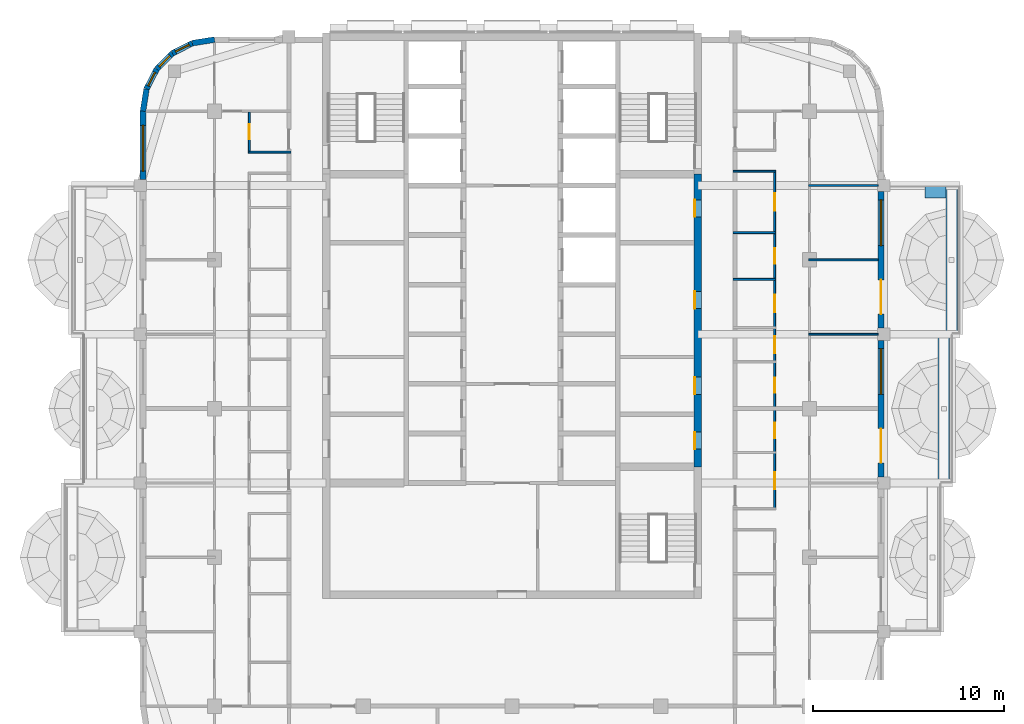
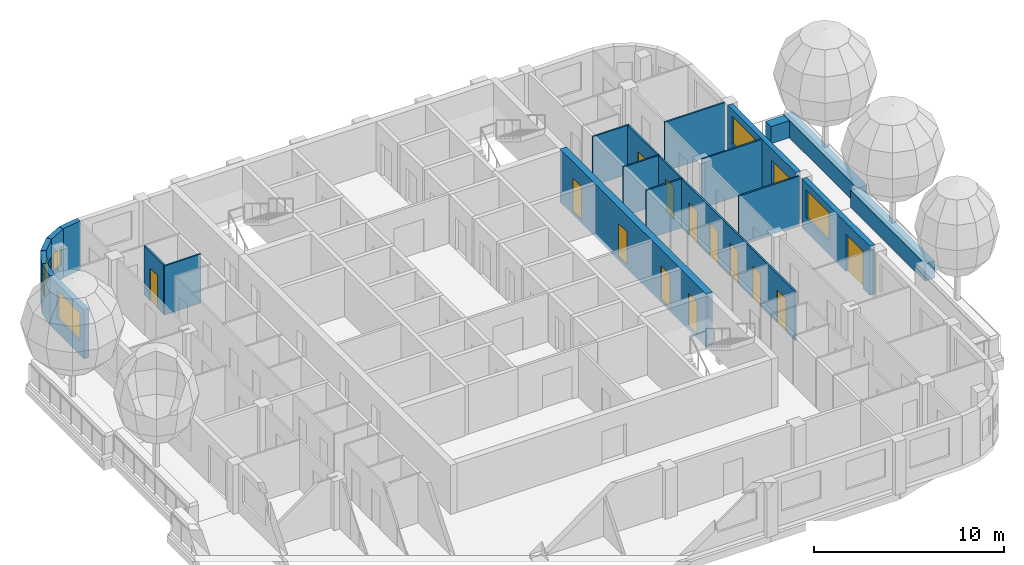
# One storey, part 7 of 13: 21 walls, 14 doors, 6 windows, 20 openings.
"""IFC4 building model written with IfcOpenShell, lengths in metres."""

from ifc_helpers import new_model, si_unit, direction, frame, frame_2d, origin, place, context, subcontext, project, spatial, rectangle, extrude, material, layer, layer_set, type_object, element, fill, save


model = new_model("IFC4")

# Units and contexts
model_context = context("Model", 3, precision=1e-05, world=origin(), true_north=direction((0.0, 1.0)))
body_context = subcontext(model_context, "Body", "Model", "MODEL_VIEW")
ifc_project = project(units=[si_unit("LENGTHUNIT", "METRE"), si_unit("AREAUNIT", "SQUARE_METRE"), si_unit("VOLUMEUNIT", "CUBIC_METRE"), si_unit("PLANEANGLEUNIT", "RADIAN"), si_unit("MASSUNIT", "GRAM", prefix="KILO")], contexts=[model_context])

# Site, building, storey
site_placement = place(None, origin())
site = spatial("IfcSite", under=ifc_project, at=site_placement, CompositionType="ELEMENT")
building_placement = place(site_placement, origin())
building = spatial("IfcBuilding", under=site, at=building_placement, Name="Ludao Terraces", CompositionType="ELEMENT")
storey_placement = place(building_placement, frame((0.0, 0.0, 259.60009765625)))
storey = spatial("IfcBuildingStorey", under=building, at=storey_placement, Name="L71", CompositionType="ELEMENT", Elevation=259.60009765625)

# Wall, openings, doors
ifc_material_1 = material(Name="Concrete C50", Category="concrete")
ifc_layer_1 = layer(ifc_material_1, 0.39990234375)
ifc_layer_set_1 = layer_set([ifc_layer_1], Name="Core wall 400 C50")
wall_type_1 = type_object("IfcWallType", Name="Core wall 400 C50", PredefinedType="SOLIDWALL", material=ifc_layer_set_1)
wall_1_placement = place(storey_placement, frame((94.75, 61.949951171875, -0.25), z_axis=(0.0, 0.0, 1.0), x_axis=(0.0, 1.0, 0.0)))
wall_1 = element("IfcWall", 1, at=wall_1_placement, inside=storey, type_object=wall_type_1, Name="Core wall L71 outer-E", PredefinedType="SOLIDWALL", context=body_context, shape_type="SweptSolid", body=[
    extrude(rectangle(XDim=15.35009765625, YDim=0.39990234375, at=frame_2d((7.675048828125, 0.0))), origin(), (0.0, 0.0, 1.0), 3.39990234375),
])
opening_1_placement = place(wall_1_placement, frame((0.925048828125, 0.0, 0.25)))
opening_1 = element("IfcOpeningElement", 2, at=opening_1_placement, cuts=wall_1, Name="Opening R26-034", PredefinedType="OPENING", context=body_context, shape_type="SweptSolid", body=[
    extrude(rectangle(XDim=0.89990234375, YDim=2.10009765625, at=frame_2d((0.449951171875, 1.050048828125))), frame((0.0, 0.2099609375, 0.0), z_axis=(0.0, -1.0, 0.0), x_axis=(1.0, 0.0, 0.0)), (0.0, 0.0, 1.0), 0.419921875),
])
opening_2_placement = place(wall_1_placement, frame((3.800048828125, 0.0, 0.25)))
opening_2 = element("IfcOpeningElement", 3, at=opening_2_placement, cuts=wall_1, Name="Opening R26-040", PredefinedType="OPENING", context=body_context, shape_type="SweptSolid", body=[
    extrude(rectangle(XDim=0.89990234375, YDim=2.10009765625, at=frame_2d((0.449951171875, 1.050048828125))), frame((0.0, 0.2099609375, 0.0), z_axis=(0.0, -1.0, 0.0), x_axis=(1.0, 0.0, 0.0)), (0.0, 0.0, 1.0), 0.419921875),
])
opening_3_placement = place(wall_1_placement, frame((8.300048828125, 0.0, 0.25)))
opening_3 = element("IfcOpeningElement", 4, at=opening_3_placement, cuts=wall_1, Name="Opening R26-054", PredefinedType="OPENING", context=body_context, shape_type="SweptSolid", body=[
    extrude(rectangle(XDim=0.89990234375, YDim=2.10009765625, at=frame_2d((0.449951171875, 1.050048828125))), frame((0.0, 0.2099609375, 0.0), z_axis=(0.0, -1.0, 0.0), x_axis=(1.0, 0.0, 0.0)), (0.0, 0.0, 1.0), 0.419921875),
])
opening_4_placement = place(wall_1_placement, frame((13.10009765625, 0.0, 0.25)))
opening_4 = element("IfcOpeningElement", 5, at=opening_4_placement, cuts=wall_1, Name="Opening R26-066", PredefinedType="OPENING", context=body_context, shape_type="SweptSolid", body=[
    extrude(rectangle(XDim=0.89990234375, YDim=2.10009765625, at=frame_2d((0.449951171875, 1.050048828125))), frame((0.0, 0.2099609375, 0.0), z_axis=(0.0, -1.0, 0.0), x_axis=(1.0, 0.0, 0.0)), (0.0, 0.0, 1.0), 0.419921875),
])
ifc_material_2 = material(Name="Steel Q235", Category="steel")
door_type_1 = type_object("IfcDoorType", Name="INT Riser door 900", OperationType="SINGLE_SWING_LEFT", PredefinedType="DOOR", material=ifc_material_2)
door_1_placement = place(opening_1_placement, origin())
door_1 = element("IfcDoor", 6, at=door_1_placement, inside=storey, type_object=door_type_1, Name="DOOR 034", OperationType="SINGLE_SWING_LEFT", OverallHeight=2.10009765625, OverallWidth=0.89990234375, PredefinedType="DOOR", context=body_context, shape_type="SweptSolid", body=[
    extrude(rectangle(XDim=0.89990234375, YDim=2.10009765625, at=frame_2d((0.449951171875, 1.050048828125))), frame((0.0, 0.18505859375, 0.0), z_axis=(0.0, -1.0, 0.0), x_axis=(1.0, 0.0, 0.0)), (0.0, 0.0, 1.0), 0.050048828125),
])
fill(opening_1, door_1)
door_2_placement = place(opening_4_placement, origin())
door_2 = element("IfcDoor", 7, at=door_2_placement, inside=storey, type_object=door_type_1, Name="DOOR 066", OperationType="SINGLE_SWING_RIGHT", OverallHeight=2.10009765625, OverallWidth=0.89990234375, PredefinedType="DOOR", context=body_context, shape_type="SweptSolid", body=[
    extrude(rectangle(XDim=0.89990234375, YDim=2.10009765625, at=frame_2d((0.449951171875, 1.050048828125))), frame((0.0, 0.18505859375, 0.0), z_axis=(0.0, -1.0, 0.0), x_axis=(1.0, 0.0, 0.0)), (0.0, 0.0, 1.0), 0.050048828125),
])
fill(opening_4, door_2)
ifc_material_3 = material(Name="Timber door leaf", Category="wood")
door_type_2 = type_object("IfcDoorType", Name="INT Room door 900", OperationType="SINGLE_SWING_LEFT", PredefinedType="DOOR", material=ifc_material_3)
door_3_placement = place(opening_2_placement, origin())
door_3 = element("IfcDoor", 8, at=door_3_placement, inside=storey, type_object=door_type_2, Name="DOOR 040", OperationType="SINGLE_SWING_LEFT", OverallHeight=2.10009765625, OverallWidth=0.89990234375, PredefinedType="DOOR", context=body_context, shape_type="SweptSolid", body=[
    extrude(rectangle(XDim=0.89990234375, YDim=2.10009765625, at=frame_2d((0.449951171875, 1.050048828125))), frame((0.0, 0.18505859375, 0.0), z_axis=(0.0, -1.0, 0.0), x_axis=(1.0, 0.0, 0.0)), (0.0, 0.0, 1.0), 0.050048828125),
])
fill(opening_2, door_3)
door_4_placement = place(opening_3_placement, origin())
door_4 = element("IfcDoor", 9, at=door_4_placement, inside=storey, type_object=door_type_2, Name="DOOR 054", OperationType="SINGLE_SWING_LEFT", OverallHeight=2.10009765625, OverallWidth=0.89990234375, PredefinedType="DOOR", context=body_context, shape_type="SweptSolid", body=[
    extrude(rectangle(XDim=0.89990234375, YDim=2.10009765625, at=frame_2d((0.449951171875, 1.050048828125))), frame((0.0, 0.18505859375, 0.0), z_axis=(0.0, -1.0, 0.0), x_axis=(1.0, 0.0, 0.0)), (0.0, 0.0, 1.0), 0.050048828125),
])
fill(opening_3, door_4)

# Walls
ifc_material_4 = material(Name="Concrete C40", Category="concrete")
ifc_layer_2 = layer(ifc_material_4, 0.60009765625)
ifc_layer_set_2 = layer_set([ifc_layer_2], Name="ENV Planter trough 600")
wall_type_2 = type_object("IfcWallType", Name="ENV Planter trough 600", PredefinedType="USERDEFINED", material=ifc_layer_set_2)
wall_2_placement = place(storey_placement, frame((107.64990234375, 61.10009765625, 0.0), z_axis=(0.0, 0.0, 1.0), x_axis=(0.0, 1.0, 0.0)))
element("IfcWall", 10, at=wall_2_placement, inside=storey, type_object=wall_type_2, Name="PL-L71-E2", ObjectType="PLANTER", PredefinedType="USERDEFINED", context=body_context, shape_type="SweptSolid", body=[
    extrude(rectangle(XDim=7.7998046875, YDim=0.60009765625, at=frame_2d((3.89990234375, 0.0))), origin(), (0.0, 0.0, 1.0), 1.099853515625),
])
wall_3_placement = place(storey_placement, frame((108.050048828125, 68.89990234375, 0.0), z_axis=(0.0, 0.0, 1.0), x_axis=(0.0, 1.0, 0.0)))
element("IfcWall", 11, at=wall_3_placement, inside=storey, type_object=wall_type_2, Name="PL-L71-E3", ObjectType="PLANTER", PredefinedType="USERDEFINED", context=body_context, shape_type="SweptSolid", body=[
    extrude(rectangle(XDim=7.800048828125, YDim=0.60009765625, at=frame_2d((3.89990234375, 0.0))), origin(), (0.0, 0.0, 1.0), 1.099853515625),
])
wall_4_placement = place(storey_placement, frame((107.75, 76.35009765625, 0.0), z_axis=(0.0, 0.0, 1.0), x_axis=(-1.0, 0.0, 0.0)))
element("IfcWall", 12, at=wall_4_placement, inside=storey, type_object=wall_type_2, Name="PL-L71-E3-SB", ObjectType="PLANTER", PredefinedType="USERDEFINED", context=body_context, shape_type="SweptSolid", body=[
    extrude(rectangle(XDim=1.10009765625, YDim=0.60009765625, at=frame_2d((0.550048828125, 0.0))), origin(), (0.0, 0.0, 1.0), 1.099853515625),
])

# Wall, openings, door, window
ifc_material_5 = material(Name="Granite cladding", Category="masonry")
ifc_layer_3 = layer(ifc_material_5, 0.0400390625, Category="stone")
ifc_material_6 = material(Name="Mineral wool")
ifc_layer_4 = layer(ifc_material_6, 0.06005859375)
ifc_layer_5 = layer(ifc_material_4, 0.199951171875, Category="concrete")
ifc_layer_set_3 = layer_set([ifc_layer_3, ifc_layer_4, ifc_layer_5], Name="ENV Stone-clad wall 300")
wall_type_3 = type_object("IfcWallType", Name="ENV Stone-clad wall 300", PredefinedType="SOLIDWALL", material=ifc_layer_set_3)
wall_5_placement = place(storey_placement, frame((104.35009765625, 61.425048828125, 0.0), z_axis=(0.0, 0.0, 1.0), x_axis=(0.0, 1.0, 0.0)))
wall_5 = element("IfcWall", 13, at=wall_5_placement, inside=storey, type_object=wall_type_3, Name="EW-L71-E3", PredefinedType="SOLIDWALL", context=body_context, shape_type="SweptSolid", body=[
    extrude(rectangle(XDim=7.14990234375, YDim=0.300048828125, at=frame_2d((3.574951171875, 0.0))), origin(), (0.0, 0.0, 1.0), 3.14990234375),
])
opening_5_placement = place(wall_5_placement, frame((0.72509765625, 0.0, 0.0)))
opening_5 = element("IfcOpeningElement", 14, at=opening_5_placement, cuts=wall_5, Name="Opening BD", PredefinedType="OPENING", context=body_context, shape_type="SweptSolid", body=[
    extrude(rectangle(XDim=1.800048828125, YDim=2.39990234375, at=frame_2d((0.89990234375, 1.199951171875))), frame((0.0, 0.16015625, 0.0), z_axis=(0.0, -1.0, 0.0), x_axis=(1.0, 0.0, 0.0)), (0.0, 0.0, 1.0), 0.320068359375),
])
opening_6_placement = place(wall_5_placement, frame((4.324951171875, 0.0, 0.89990234375)))
opening_6 = element("IfcOpeningElement", 15, at=opening_6_placement, cuts=wall_5, Name="Opening W1", PredefinedType="OPENING", context=body_context, shape_type="SweptSolid", body=[
    extrude(rectangle(XDim=2.39990234375, YDim=1.800048828125, at=frame_2d((1.199951171875, 0.89990234375))), frame((0.0, 0.16015625, 0.0), z_axis=(0.0, -1.0, 0.0), x_axis=(1.0, 0.0, 0.0)), (0.0, 0.0, 1.0), 0.320068359375),
])
ifc_material_7 = material(Name="Aluminium glazed door", Category="aluminium")
ifc_layer_6 = layer(ifc_material_7, 0.06005859375)
ifc_layer_set_4 = layer_set([ifc_layer_6], Name="ENV Balcony door BD 1800x2400")
door_type_3 = type_object("IfcDoorType", Name="ENV Balcony door BD 1800x2400", OperationType="DOUBLE_DOOR_SINGLE_SWING", PredefinedType="DOOR", material=ifc_layer_set_4)
door_5_placement = place(opening_5_placement, origin())
door_5 = element("IfcDoor", 16, at=door_5_placement, inside=storey, type_object=door_type_3, Name="BD-L71-E3-1", OperationType="DOUBLE_DOOR_SINGLE_SWING", OverallHeight=2.39990234375, OverallWidth=1.800048828125, PredefinedType="DOOR", context=body_context, shape_type="SweptSolid", body=[
    extrude(rectangle(XDim=1.800048828125, YDim=2.39990234375, at=frame_2d((0.89990234375, 1.199951171875))), frame((0.0, 0.02490234375, 0.0), z_axis=(0.0, -1.0, 0.0), x_axis=(1.0, 0.0, 0.0)), (0.0, 0.0, 1.0), 0.050048828125),
])
fill(opening_5, door_5)
ifc_material_8 = material(Name="Clear glass in aluminium frame", Category="aluminium")
ifc_layer_7 = layer(ifc_material_8, 0.06005859375)
ifc_layer_set_5 = layer_set([ifc_layer_7], Name="ENV Window W1 2400x1800")
window_type_1 = type_object("IfcWindowType", Name="ENV Window W1 2400x1800", PartitioningType="DOUBLE_PANEL_VERTICAL", PredefinedType="WINDOW", material=ifc_layer_set_5)
window_1_placement = place(opening_6_placement, origin())
window_1 = element("IfcWindow", 17, at=window_1_placement, inside=storey, type_object=window_type_1, Name="W-L71-E3-2", OverallHeight=1.800048828125, OverallWidth=2.39990234375, PartitioningType="DOUBLE_PANEL_VERTICAL", PredefinedType="WINDOW", context=body_context, shape_type="SweptSolid", body=[
    extrude(rectangle(XDim=2.39990234375, YDim=1.800048828125, at=frame_2d((1.199951171875, 0.89990234375))), frame((0.0, 0.030029296875, 0.0), z_axis=(0.0, -1.0, 0.0), x_axis=(1.0, 0.0, 0.0)), (0.0, 0.0, 1.0), 0.06005859375),
])
fill(opening_6, window_1)

wall_6_placement = place(storey_placement, frame((104.35009765625, 69.22509765625, 0.0), z_axis=(0.0, 0.0, 1.0), x_axis=(0.0, 1.0, 0.0)))
wall_6 = element("IfcWall", 18, at=wall_6_placement, inside=storey, type_object=wall_type_3, Name="EW-L71-E4", PredefinedType="SOLIDWALL", context=body_context, shape_type="SweptSolid", body=[
    extrude(rectangle(XDim=7.14990234375, YDim=0.300048828125, at=frame_2d((3.574951171875, 0.0))), origin(), (0.0, 0.0, 1.0), 3.14990234375),
])
opening_7_placement = place(wall_6_placement, frame((0.72509765625, 0.0, 0.0)))
opening_7 = element("IfcOpeningElement", 19, at=opening_7_placement, cuts=wall_6, Name="Opening BD", PredefinedType="OPENING", context=body_context, shape_type="SweptSolid", body=[
    extrude(rectangle(XDim=1.800048828125, YDim=2.39990234375, at=frame_2d((0.89990234375, 1.199951171875))), frame((0.0, 0.16015625, 0.0), z_axis=(0.0, -1.0, 0.0), x_axis=(1.0, 0.0, 0.0)), (0.0, 0.0, 1.0), 0.320068359375),
])
opening_8_placement = place(wall_6_placement, frame((4.324951171875, 0.0, 0.89990234375)))
opening_8 = element("IfcOpeningElement", 20, at=opening_8_placement, cuts=wall_6, Name="Opening W1", PredefinedType="OPENING", context=body_context, shape_type="SweptSolid", body=[
    extrude(rectangle(XDim=2.39990234375, YDim=1.800048828125, at=frame_2d((1.199951171875, 0.89990234375))), frame((0.0, 0.16015625, 0.0), z_axis=(0.0, -1.0, 0.0), x_axis=(1.0, 0.0, 0.0)), (0.0, 0.0, 1.0), 0.320068359375),
])
door_6_placement = place(opening_7_placement, origin())
door_6 = element("IfcDoor", 21, at=door_6_placement, inside=storey, type_object=door_type_3, Name="BD-L71-E4-1", OperationType="DOUBLE_DOOR_SINGLE_SWING", OverallHeight=2.39990234375, OverallWidth=1.800048828125, PredefinedType="DOOR", context=body_context, shape_type="SweptSolid", body=[
    extrude(rectangle(XDim=1.800048828125, YDim=2.39990234375, at=frame_2d((0.89990234375, 1.199951171875))), frame((0.0, 0.02490234375, 0.0), z_axis=(0.0, -1.0, 0.0), x_axis=(1.0, 0.0, 0.0)), (0.0, 0.0, 1.0), 0.050048828125),
])
fill(opening_7, door_6)
window_2_placement = place(opening_8_placement, origin())
window_2 = element("IfcWindow", 22, at=window_2_placement, inside=storey, type_object=window_type_1, Name="W-L71-E4-2", OverallHeight=1.800048828125, OverallWidth=2.39990234375, PartitioningType="DOUBLE_PANEL_VERTICAL", PredefinedType="WINDOW", context=body_context, shape_type="SweptSolid", body=[
    extrude(rectangle(XDim=2.39990234375, YDim=1.800048828125, at=frame_2d((1.199951171875, 0.89990234375))), frame((0.0, 0.030029296875, 0.0), z_axis=(0.0, -1.0, 0.0), x_axis=(1.0, 0.0, 0.0)), (0.0, 0.0, 1.0), 0.06005859375),
])
fill(opening_8, window_2)

# Wall, opening, window
wall_7_placement = place(storey_placement, frame((65.64990234375, 77.02490234375, 0.0), z_axis=(0.0, 0.0, 1.0), x_axis=(0.0, 1.0, 0.0)))
wall_7 = element("IfcWall", 23, at=wall_7_placement, inside=storey, type_object=wall_type_3, Name="EW-L71-W5", PredefinedType="SOLIDWALL", context=body_context, shape_type="SweptSolid", body=[
    extrude(rectangle(XDim=3.5751953125, YDim=0.300048828125, at=frame_2d((1.78759765625, 0.0))), origin(), (0.0, 0.0, 1.0), 3.14990234375),
])
opening_9_placement = place(wall_7_placement, frame((0.425048828125, 0.0, 0.89990234375)))
opening_9 = element("IfcOpeningElement", 24, at=opening_9_placement, cuts=wall_7, Name="Opening W1", PredefinedType="OPENING", context=body_context, shape_type="SweptSolid", body=[
    extrude(rectangle(XDim=2.39990234375, YDim=1.800048828125, at=frame_2d((1.199951171875, 0.89990234375))), frame((0.0, 0.16015625, 0.0), z_axis=(0.0, -1.0, 0.0), x_axis=(1.0, 0.0, 0.0)), (0.0, 0.0, 1.0), 0.320068359375),
])
window_3_placement = place(opening_9_placement, origin())
window_3 = element("IfcWindow", 25, at=window_3_placement, inside=storey, type_object=window_type_1, Name="W-L71-W5-1", OverallHeight=1.800048828125, OverallWidth=2.39990234375, PartitioningType="DOUBLE_PANEL_VERTICAL", PredefinedType="WINDOW", context=body_context, shape_type="SweptSolid", body=[
    extrude(rectangle(XDim=2.39990234375, YDim=1.800048828125, at=frame_2d((1.199951171875, 0.89990234375))), frame((0.0, 0.030029296875, 0.0), z_axis=(0.0, -1.0, 0.0), x_axis=(1.0, 0.0, 0.0)), (0.0, 0.0, 1.0), 0.06005859375),
])
fill(opening_9, window_3)

# Wall
wall_8_placement = place(storey_placement, frame((69.39990234375, 84.35009765625, 0.0), z_axis=(0.0, 0.0, 1.0), x_axis=(-0.987678452879, -0.156496880861, 0.0)))
element("IfcWall", 26, at=wall_8_placement, inside=storey, type_object=wall_type_3, Name="EW-L71-NW1", PredefinedType="SOLIDWALL", context=body_context, shape_type="SweptSolid", body=[
    extrude(rectangle(XDim=1.173095703125, YDim=0.300048828125, at=frame_2d((0.58642578125, 0.0))), origin(), (0.0, 0.0, 1.0), 3.14990234375),
])

# Wall, opening, window
wall_9_placement = place(storey_placement, frame((68.2412109375, 84.16650390625, 0.0), z_axis=(0.0, 0.0, 1.0), x_axis=(-0.890988677504, -0.454025524128, 0.0)))
wall_9 = element("IfcWall", 27, at=wall_9_placement, inside=storey, type_object=wall_type_3, Name="EW-L71-NW2", PredefinedType="SOLIDWALL", context=body_context, shape_type="SweptSolid", body=[
    extrude(rectangle(XDim=1.17333984375, YDim=0.300048828125, at=frame_2d((0.586669921875, 0.0))), origin(), (0.0, 0.0, 1.0), 3.14990234375),
])
opening_10_placement = place(wall_9_placement, frame((0.1865234375, 0.0, 0.89990234375)))
opening_10 = element("IfcOpeningElement", 28, at=opening_10_placement, cuts=wall_9, Name="Opening W3", PredefinedType="OPENING", context=body_context, shape_type="SweptSolid", body=[
    extrude(rectangle(XDim=0.800048828125, YDim=1.199951171875, at=frame_2d((0.39990234375, 0.60009765625))), frame((0.0, 0.16015625, 0.0), z_axis=(0.0, -1.0, 0.0), x_axis=(1.0, 0.0, 0.0)), (0.0, 0.0, 1.0), 0.320068359375),
])
ifc_layer_8 = layer(ifc_material_8, 0.06005859375)
ifc_layer_set_6 = layer_set([ifc_layer_8], Name="ENV Window W3 800x1200")
window_type_2 = type_object("IfcWindowType", Name="ENV Window W3 800x1200", PartitioningType="SINGLE_PANEL", PredefinedType="WINDOW", material=ifc_layer_set_6)
window_4_placement = place(opening_10_placement, origin())
window_4 = element("IfcWindow", 29, at=window_4_placement, inside=storey, type_object=window_type_2, Name="W-L71-NW2", OverallHeight=1.199951171875, OverallWidth=0.800048828125, PartitioningType="SINGLE_PANEL", PredefinedType="WINDOW", context=body_context, shape_type="SweptSolid", body=[
    extrude(rectangle(XDim=0.800048828125, YDim=1.199951171875, at=frame_2d((0.39990234375, 0.60009765625))), frame((0.0, 0.030029296875, 0.0), z_axis=(0.0, -1.0, 0.0), x_axis=(1.0, 0.0, 0.0)), (0.0, 0.0, 1.0), 0.06005859375),
])
fill(opening_10, window_4)

wall_10_placement = place(storey_placement, frame((67.19580078125, 83.6337890625, 0.0), z_axis=(0.0, 0.0, 1.0), x_axis=(-0.707106781187, -0.707106781187, 0.0)))
wall_10 = element("IfcWall", 30, at=wall_10_placement, inside=storey, type_object=wall_type_3, Name="EW-L71-NW3", PredefinedType="SOLIDWALL", context=body_context, shape_type="SweptSolid", body=[
    extrude(rectangle(XDim=1.173095703125, YDim=0.300048828125, at=frame_2d((0.58642578125, 0.0))), origin(), (0.0, 0.0, 1.0), 3.14990234375),
])
opening_11_placement = place(wall_10_placement, frame((0.1865234375, 0.0, 0.89990234375)))
opening_11 = element("IfcOpeningElement", 31, at=opening_11_placement, cuts=wall_10, Name="Opening W3", PredefinedType="OPENING", context=body_context, shape_type="SweptSolid", body=[
    extrude(rectangle(XDim=0.800048828125, YDim=1.199951171875, at=frame_2d((0.39990234375, 0.60009765625))), frame((0.0, 0.16015625, 0.0), z_axis=(0.0, -1.0, 0.0), x_axis=(1.0, 0.0, 0.0)), (0.0, 0.0, 1.0), 0.320068359375),
])
window_5_placement = place(opening_11_placement, origin())
window_5 = element("IfcWindow", 32, at=window_5_placement, inside=storey, type_object=window_type_2, Name="W-L71-NW3", OverallHeight=1.199951171875, OverallWidth=0.800048828125, PartitioningType="SINGLE_PANEL", PredefinedType="WINDOW", context=body_context, shape_type="SweptSolid", body=[
    extrude(rectangle(XDim=0.800048828125, YDim=1.199951171875, at=frame_2d((0.39990234375, 0.60009765625))), frame((0.0, 0.030029296875, 0.0), z_axis=(0.0, -1.0, 0.0), x_axis=(1.0, 0.0, 0.0)), (0.0, 0.0, 1.0), 0.06005859375),
])
fill(opening_11, window_5)

wall_11_placement = place(storey_placement, frame((66.3662109375, 82.80419921875, 0.0), z_axis=(0.0, 0.0, 1.0), x_axis=(-0.454025524128, -0.890988677504, 0.0)))
wall_11 = element("IfcWall", 33, at=wall_11_placement, inside=storey, type_object=wall_type_3, Name="EW-L71-NW4", PredefinedType="SOLIDWALL", context=body_context, shape_type="SweptSolid", body=[
    extrude(rectangle(XDim=1.17333984375, YDim=0.300048828125, at=frame_2d((0.586669921875, 0.0))), origin(), (0.0, 0.0, 1.0), 3.14990234375),
])
opening_12_placement = place(wall_11_placement, frame((0.1865234375, 0.0, 0.89990234375)))
opening_12 = element("IfcOpeningElement", 34, at=opening_12_placement, cuts=wall_11, Name="Opening W3", PredefinedType="OPENING", context=body_context, shape_type="SweptSolid", body=[
    extrude(rectangle(XDim=0.800048828125, YDim=1.199951171875, at=frame_2d((0.39990234375, 0.60009765625))), frame((0.0, 0.16015625, 0.0), z_axis=(0.0, -1.0, 0.0), x_axis=(1.0, 0.0, 0.0)), (0.0, 0.0, 1.0), 0.320068359375),
])
window_6_placement = place(opening_12_placement, origin())
window_6 = element("IfcWindow", 35, at=window_6_placement, inside=storey, type_object=window_type_2, Name="W-L71-NW4", OverallHeight=1.199951171875, OverallWidth=0.800048828125, PartitioningType="SINGLE_PANEL", PredefinedType="WINDOW", context=body_context, shape_type="SweptSolid", body=[
    extrude(rectangle(XDim=0.800048828125, YDim=1.199951171875, at=frame_2d((0.39990234375, 0.60009765625))), frame((0.0, 0.030029296875, 0.0), z_axis=(0.0, -1.0, 0.0), x_axis=(1.0, 0.0, 0.0)), (0.0, 0.0, 1.0), 0.06005859375),
])
fill(opening_12, window_6)

# Walls
wall_12_placement = place(storey_placement, frame((65.83349609375, 81.7587890625, 0.0), z_axis=(0.0, 0.0, 1.0), x_axis=(-0.156496880861, -0.987678452879, 0.0)))
element("IfcWall", 36, at=wall_12_placement, inside=storey, type_object=wall_type_3, Name="EW-L71-NW5", PredefinedType="SOLIDWALL", context=body_context, shape_type="SweptSolid", body=[
    extrude(rectangle(XDim=1.173095703125, YDim=0.300048828125, at=frame_2d((0.58642578125, 0.0))), origin(), (0.0, 0.0, 1.0), 3.14990234375),
])
ifc_material_9 = material(Name="Gypsum plasterboard", Category="gypsum")
ifc_layer_9 = layer(ifc_material_9, 0.012451171875, Category="gypsum")
ifc_layer_10 = layer(ifc_material_6, 0.06005859375, Name="insulation")
ifc_layer_11 = layer(ifc_material_2, 0.014892578125, Name="stud")
ifc_layer_12 = layer(ifc_material_9, 0.012451171875, Category="gypsum")
ifc_layer_set_7 = layer_set([ifc_layer_9, ifc_layer_10, ifc_layer_11, ifc_layer_12], Name="INT Partition 100")
wall_type_4 = type_object("IfcWallType", Name="INT Partition 100", PredefinedType="PARTITIONING", material=ifc_layer_set_7)
wall_13_placement = place(storey_placement, frame((100.550048828125, 68.89990234375, 0.0), z_axis=(0.0, 0.0, 1.0), x_axis=(1.0, 0.0, 0.0)))
element("IfcWall", 37, at=wall_13_placement, inside=storey, type_object=wall_type_4, Name="PW-L71-PW030", PredefinedType="PARTITIONING", context=body_context, shape_type="SweptSolid", body=[
    extrude(rectangle(XDim=3.650146484375, YDim=0.10009765625, at=frame_2d((1.8251953125, 0.0))), origin(), (0.0, 0.0, 1.0), 3.14990234375),
])
wall_14_placement = place(storey_placement, frame((96.60009765625, 71.780029296875, 0.0), z_axis=(0.0, 0.0, 1.0), x_axis=(1.0, 0.0, 0.0)))
element("IfcWall", 38, at=wall_14_placement, inside=storey, type_object=wall_type_4, Name="PW-L71-PW033", PredefinedType="PARTITIONING", context=body_context, shape_type="SweptSolid", body=[
    extrude(rectangle(XDim=2.219970703125, YDim=0.10009765625, at=frame_2d((1.10986328125, 0.0))), origin(), (0.0, 0.0, 1.0), 3.14990234375),
])
wall_15_placement = place(storey_placement, frame((100.550048828125, 72.800048828125, 0.0), z_axis=(0.0, 0.0, 1.0), x_axis=(1.0, 0.0, 0.0)))
element("IfcWall", 39, at=wall_15_placement, inside=storey, type_object=wall_type_4, Name="PW-L71-PW036", PredefinedType="PARTITIONING", context=body_context, shape_type="SweptSolid", body=[
    extrude(rectangle(XDim=3.650146484375, YDim=0.10009765625, at=frame_2d((1.8251953125, 0.0))), origin(), (0.0, 0.0, 1.0), 3.14990234375),
])
wall_16_placement = place(storey_placement, frame((96.60009765625, 74.22998046875, 0.0), z_axis=(0.0, 0.0, 1.0), x_axis=(1.0, 0.0, 0.0)))
element("IfcWall", 40, at=wall_16_placement, inside=storey, type_object=wall_type_4, Name="PW-L71-PW037", PredefinedType="PARTITIONING", context=body_context, shape_type="SweptSolid", body=[
    extrude(rectangle(XDim=2.219970703125, YDim=0.10009765625, at=frame_2d((1.10986328125, 0.0))), origin(), (0.0, 0.0, 1.0), 3.14990234375),
])
wall_17_placement = place(storey_placement, frame((100.550048828125, 76.699951171875, 0.0), z_axis=(0.0, 0.0, 1.0), x_axis=(1.0, 0.0, 0.0)))
element("IfcWall", 41, at=wall_17_placement, inside=storey, type_object=wall_type_4, Name="PW-L71-PW040", PredefinedType="PARTITIONING", context=body_context, shape_type="SweptSolid", body=[
    extrude(rectangle(XDim=3.650146484375, YDim=0.10009765625, at=frame_2d((1.8251953125, 0.0))), origin(), (0.0, 0.0, 1.0), 3.14990234375),
])
for number, where, z_axis, x_axis, name in (
    (42, (96.60009765625, 77.449951171875, 0.0), (0.0, 0.0, 1.0), (1.0, 0.0, 0.0), "PW-L71-PW042"),
    (43, (71.18017578125, 78.449951171875, 0.0), (0.0, 0.0, 1.0), (1.0, 0.0, 0.0), "PW-L71-PW043"),
):
    element("IfcWall", number, at=place(storey_placement, frame(where, z_axis=z_axis, x_axis=x_axis)), inside=storey, type_object=wall_type_4, Name=name, PredefinedType="PARTITIONING", context=body_context, shape_type="SweptSolid", body=[
        extrude(rectangle(XDim=2.219970703125, YDim=0.10009765625, at=frame_2d((1.10986328125, 0.0))), origin(), (0.0, 0.0, 1.0), 3.14990234375),
    ])

# Wall, opening, door
wall_18_placement = place(storey_placement, frame((71.22998046875, 78.5, 0.0), z_axis=(0.0, 0.0, 1.0), x_axis=(0.0, 1.0, 0.0)))
wall_18 = element("IfcWall", 44, at=wall_18_placement, inside=storey, type_object=wall_type_4, Name="PW-L71-PW050", PredefinedType="PARTITIONING", context=body_context, shape_type="SweptSolid", body=[
    extrude(rectangle(XDim=2.050048828125, YDim=0.10009765625, at=frame_2d((1.02490234375, 0.0))), origin(), (0.0, 0.0, 1.0), 3.14990234375),
])
opening_13_placement = place(wall_18_placement, frame((0.625, 0.0, 0.0)))
opening_13 = element("IfcOpeningElement", 45, at=opening_13_placement, cuts=wall_18, Name="Opening R26-078", PredefinedType="OPENING", context=body_context, shape_type="SweptSolid", body=[
    extrude(rectangle(XDim=0.800048828125, YDim=2.10009765625, at=frame_2d((0.39990234375, 1.050048828125))), frame((0.0, 0.06005859375, 0.0), z_axis=(0.0, -1.0, 0.0), x_axis=(1.0, 0.0, 0.0)), (0.0, 0.0, 1.0), 0.1201171875),
])
door_type_4 = type_object("IfcDoorType", Name="INT Store door 800", OperationType="SINGLE_SWING_LEFT", PredefinedType="DOOR", material=ifc_material_3)
door_7_placement = place(opening_13_placement, origin())
door_7 = element("IfcDoor", 46, at=door_7_placement, inside=storey, type_object=door_type_4, Name="DOOR 078", OperationType="SINGLE_SWING_RIGHT", OverallHeight=2.10009765625, OverallWidth=0.800048828125, PredefinedType="DOOR", context=body_context, shape_type="SweptSolid", body=[
    extrude(rectangle(XDim=0.800048828125, YDim=2.10009765625, at=frame_2d((0.39990234375, 1.050048828125))), frame((0.0, 0.02490234375, 0.0), z_axis=(0.0, -1.0, 0.0), x_axis=(1.0, 0.0, 0.0)), (0.0, 0.0, 1.0), 0.050048828125),
])
fill(opening_13, door_7)

# Wall, openings, doors
wall_19_placement = place(storey_placement, frame((98.77001953125, 59.800048828125, 0.0), z_axis=(0.0, 0.0, 1.0), x_axis=(0.0, 1.0, 0.0)))
wall_19 = element("IfcWall", 47, at=wall_19_placement, inside=storey, type_object=wall_type_4, Name="PW-L71-PW058", PredefinedType="PARTITIONING", context=body_context, shape_type="SweptSolid", body=[
    extrude(rectangle(XDim=17.60009765625, YDim=0.10009765625, at=frame_2d((8.800048828125, 0.0))), origin(), (0.0, 0.0, 1.0), 3.14990234375),
])
opening_14_placement = place(wall_19_placement, frame((0.97509765625, 0.0, 0.0)))
opening_14 = element("IfcOpeningElement", 48, at=opening_14_placement, cuts=wall_19, Name="Opening R26-026", PredefinedType="OPENING", context=body_context, shape_type="SweptSolid", body=[
    extrude(rectangle(XDim=0.89990234375, YDim=2.10009765625, at=frame_2d((0.449951171875, 1.050048828125))), frame((0.0, 0.06005859375, 0.0), z_axis=(0.0, -1.0, 0.0), x_axis=(1.0, 0.0, 0.0)), (0.0, 0.0, 1.0), 0.1201171875),
])
opening_15_placement = place(wall_19_placement, frame((3.64990234375, 0.0, 0.0)))
opening_15 = element("IfcOpeningElement", 49, at=opening_15_placement, cuts=wall_19, Name="Opening R26-035", PredefinedType="OPENING", context=body_context, shape_type="SweptSolid", body=[
    extrude(rectangle(XDim=0.800048828125, YDim=2.10009765625, at=frame_2d((0.39990234375, 1.050048828125))), frame((0.0, 0.06005859375, 0.0), z_axis=(0.0, -1.0, 0.0), x_axis=(1.0, 0.0, 0.0)), (0.0, 0.0, 1.0), 0.1201171875),
])
opening_16_placement = place(wall_19_placement, frame((6.02490234375, 0.0, 0.0)))
opening_16 = element("IfcOpeningElement", 50, at=opening_16_placement, cuts=wall_19, Name="Opening R26-041", PredefinedType="OPENING", context=body_context, shape_type="SweptSolid", body=[
    extrude(rectangle(XDim=0.800048828125, YDim=2.10009765625, at=frame_2d((0.39990234375, 1.050048828125))), frame((0.0, 0.06005859375, 0.0), z_axis=(0.0, -1.0, 0.0), x_axis=(1.0, 0.0, 0.0)), (0.0, 0.0, 1.0), 0.1201171875),
])
opening_17_placement = place(wall_19_placement, frame((8.10009765625, 0.0, 0.0)))
opening_17 = element("IfcOpeningElement", 51, at=opening_17_placement, cuts=wall_19, Name="Opening R26-048", PredefinedType="OPENING", context=body_context, shape_type="SweptSolid", body=[
    extrude(rectangle(XDim=0.89990234375, YDim=2.10009765625, at=frame_2d((0.449951171875, 1.050048828125))), frame((0.0, 0.06005859375, 0.0), z_axis=(0.0, -1.0, 0.0), x_axis=(1.0, 0.0, 0.0)), (0.0, 0.0, 1.0), 0.1201171875),
])
opening_18_placement = place(wall_19_placement, frame((10.264892578125, 0.0, 0.0)))
opening_18 = element("IfcOpeningElement", 52, at=opening_18_placement, cuts=wall_19, Name="Opening R26-052", PredefinedType="OPENING", context=body_context, shape_type="SweptSolid", body=[
    extrude(rectangle(XDim=0.89990234375, YDim=2.10009765625, at=frame_2d((0.449951171875, 1.050048828125))), frame((0.0, 0.06005859375, 0.0), z_axis=(0.0, -1.0, 0.0), x_axis=(1.0, 0.0, 0.0)), (0.0, 0.0, 1.0), 0.1201171875),
])
opening_19_placement = place(wall_19_placement, frame((12.804931640625, 0.0, 0.0)))
opening_19 = element("IfcOpeningElement", 53, at=opening_19_placement, cuts=wall_19, Name="Opening R26-060", PredefinedType="OPENING", context=body_context, shape_type="SweptSolid", body=[
    extrude(rectangle(XDim=0.800048828125, YDim=2.10009765625, at=frame_2d((0.39990234375, 1.050048828125))), frame((0.0, 0.06005859375, 0.0), z_axis=(0.0, -1.0, 0.0), x_axis=(1.0, 0.0, 0.0)), (0.0, 0.0, 1.0), 0.1201171875),
])
opening_20_placement = place(wall_19_placement, frame((15.590087890625, 0.0, 0.0)))
opening_20 = element("IfcOpeningElement", 54, at=opening_20_placement, cuts=wall_19, Name="Opening R26-067", PredefinedType="OPENING", context=body_context, shape_type="SweptSolid", body=[
    extrude(rectangle(XDim=0.89990234375, YDim=2.10009765625, at=frame_2d((0.449951171875, 1.050048828125))), frame((0.0, 0.06005859375, 0.0), z_axis=(0.0, -1.0, 0.0), x_axis=(1.0, 0.0, 0.0)), (0.0, 0.0, 1.0), 0.1201171875),
])
door_type_5 = type_object("IfcDoorType", Name="INT Bathroom door 900", OperationType="SINGLE_SWING_LEFT", PredefinedType="DOOR", material=ifc_material_3)
door_8_placement = place(opening_17_placement, origin())
door_8 = element("IfcDoor", 55, at=door_8_placement, inside=storey, type_object=door_type_5, Name="DOOR 048", OperationType="SINGLE_SWING_RIGHT", OverallHeight=2.10009765625, OverallWidth=0.89990234375, PredefinedType="DOOR", context=body_context, shape_type="SweptSolid", body=[
    extrude(rectangle(XDim=0.89990234375, YDim=2.10009765625, at=frame_2d((0.449951171875, 1.050048828125))), frame((0.0, 0.02490234375, 0.0), z_axis=(0.0, -1.0, 0.0), x_axis=(1.0, 0.0, 0.0)), (0.0, 0.0, 1.0), 0.050048828125),
])
fill(opening_17, door_8)
door_9_placement = place(opening_18_placement, origin())
door_9 = element("IfcDoor", 56, at=door_9_placement, inside=storey, type_object=door_type_5, Name="DOOR 052", OperationType="SINGLE_SWING_RIGHT", OverallHeight=2.10009765625, OverallWidth=0.89990234375, PredefinedType="DOOR", context=body_context, shape_type="SweptSolid", body=[
    extrude(rectangle(XDim=0.89990234375, YDim=2.10009765625, at=frame_2d((0.449951171875, 1.050048828125))), frame((0.0, 0.02490234375, 0.0), z_axis=(0.0, -1.0, 0.0), x_axis=(1.0, 0.0, 0.0)), (0.0, 0.0, 1.0), 0.050048828125),
])
fill(opening_18, door_9)
door_10_placement = place(opening_14_placement, origin())
door_10 = element("IfcDoor", 57, at=door_10_placement, inside=storey, type_object=door_type_2, Name="DOOR 026", OperationType="SINGLE_SWING_RIGHT", OverallHeight=2.10009765625, OverallWidth=0.89990234375, PredefinedType="DOOR", context=body_context, shape_type="SweptSolid", body=[
    extrude(rectangle(XDim=0.89990234375, YDim=2.10009765625, at=frame_2d((0.449951171875, 1.050048828125))), frame((0.0, 0.02490234375, 0.0), z_axis=(0.0, -1.0, 0.0), x_axis=(1.0, 0.0, 0.0)), (0.0, 0.0, 1.0), 0.050048828125),
])
fill(opening_14, door_10)
door_11_placement = place(opening_20_placement, origin())
door_11 = element("IfcDoor", 58, at=door_11_placement, inside=storey, type_object=door_type_2, Name="DOOR 067", OperationType="SINGLE_SWING_RIGHT", OverallHeight=2.10009765625, OverallWidth=0.89990234375, PredefinedType="DOOR", context=body_context, shape_type="SweptSolid", body=[
    extrude(rectangle(XDim=0.89990234375, YDim=2.10009765625, at=frame_2d((0.449951171875, 1.050048828125))), frame((0.0, 0.02490234375, 0.0), z_axis=(0.0, -1.0, 0.0), x_axis=(1.0, 0.0, 0.0)), (0.0, 0.0, 1.0), 0.050048828125),
])
fill(opening_20, door_11)
door_12_placement = place(opening_15_placement, origin())
door_12 = element("IfcDoor", 59, at=door_12_placement, inside=storey, type_object=door_type_4, Name="DOOR 035", OperationType="SINGLE_SWING_RIGHT", OverallHeight=2.10009765625, OverallWidth=0.800048828125, PredefinedType="DOOR", context=body_context, shape_type="SweptSolid", body=[
    extrude(rectangle(XDim=0.800048828125, YDim=2.10009765625, at=frame_2d((0.39990234375, 1.050048828125))), frame((0.0, 0.02490234375, 0.0), z_axis=(0.0, -1.0, 0.0), x_axis=(1.0, 0.0, 0.0)), (0.0, 0.0, 1.0), 0.050048828125),
])
fill(opening_15, door_12)
door_13_placement = place(opening_16_placement, origin())
door_13 = element("IfcDoor", 60, at=door_13_placement, inside=storey, type_object=door_type_4, Name="DOOR 041", OperationType="SINGLE_SWING_LEFT", OverallHeight=2.10009765625, OverallWidth=0.800048828125, PredefinedType="DOOR", context=body_context, shape_type="SweptSolid", body=[
    extrude(rectangle(XDim=0.800048828125, YDim=2.10009765625, at=frame_2d((0.39990234375, 1.050048828125))), frame((0.0, 0.02490234375, 0.0), z_axis=(0.0, -1.0, 0.0), x_axis=(1.0, 0.0, 0.0)), (0.0, 0.0, 1.0), 0.050048828125),
])
fill(opening_16, door_13)
door_14_placement = place(opening_19_placement, origin())
door_14 = element("IfcDoor", 61, at=door_14_placement, inside=storey, type_object=door_type_4, Name="DOOR 060", OperationType="SINGLE_SWING_LEFT", OverallHeight=2.10009765625, OverallWidth=0.800048828125, PredefinedType="DOOR", context=body_context, shape_type="SweptSolid", body=[
    extrude(rectangle(XDim=0.800048828125, YDim=2.10009765625, at=frame_2d((0.39990234375, 1.050048828125))), frame((0.0, 0.02490234375, 0.0), z_axis=(0.0, -1.0, 0.0), x_axis=(1.0, 0.0, 0.0)), (0.0, 0.0, 1.0), 0.050048828125),
])
fill(opening_19, door_14)

save(model, "model.ifc")
